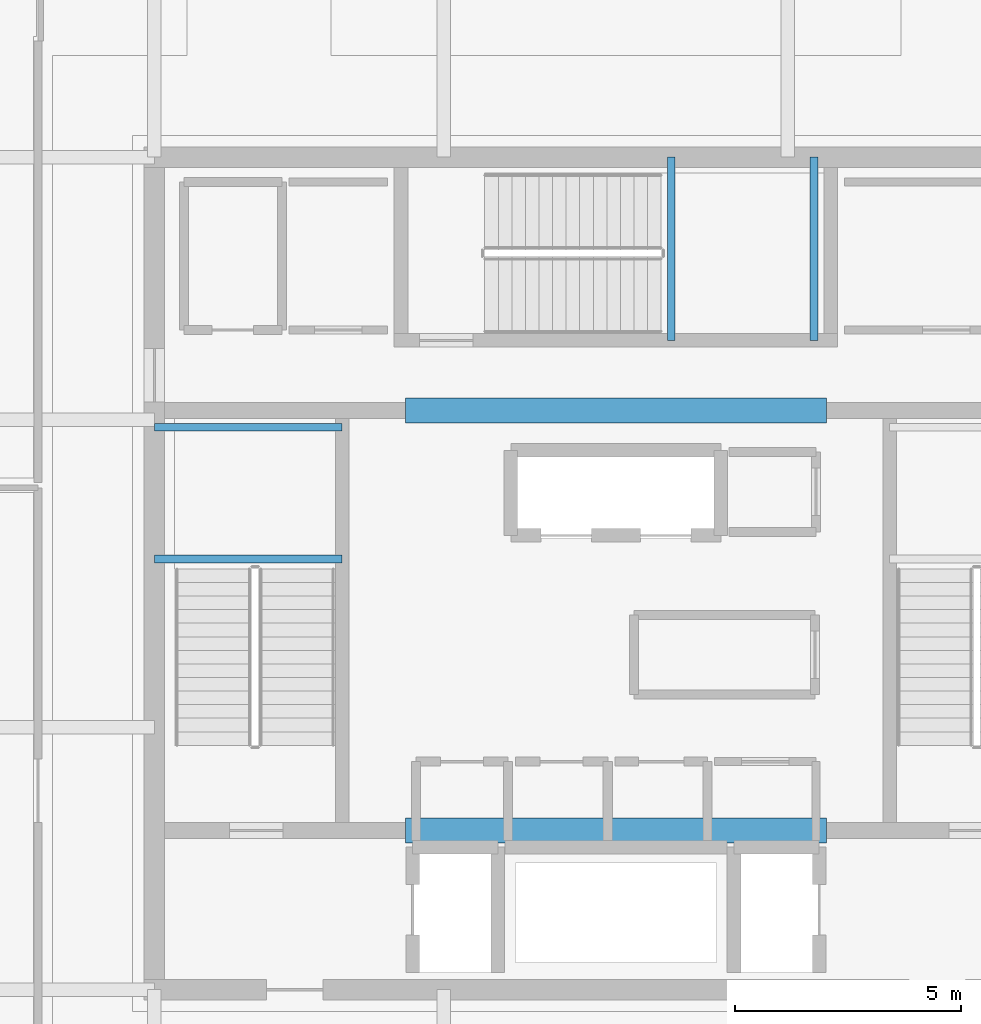
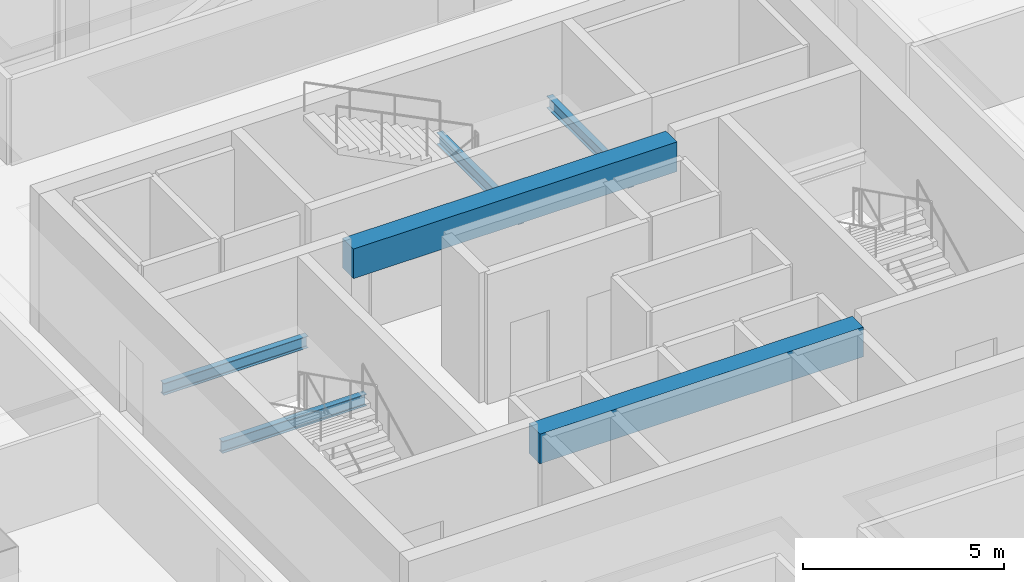
# One storey, part 15 of 46: 6 beams.
"""IFC4 building model written with IfcOpenShell, lengths in metres."""

import ifcopenshell
import ifcopenshell.guid

model = None  # the IFC model being written
_history = None  # IfcOwnerHistory: only IFC2X3 demands one
_inside = {}  # id of a spatial element -> (the spatial element, [elements in it])
_under = {}  # id of a project, library or spatial element -> (it, [spatial elements below it])
_declared = {}  # id of a project -> (the project, [libraries it declares])
_typed = {}  # id of a type object -> (the type object, [elements of that type])
_made_of = {}  # id of a material, layer set ... -> (it, [elements and type objects made of it])


def new_model(schema):
    """Start an empty IFC model of exactly this schema.

    Asked for "IFC4X3", IfcOpenShell would pick the latest addendum, in which some entities
    have other attributes; the version numbers below select the first issue.
    IFC2X3 requires an IfcOwnerHistory on every rooted entity: one is made here for all.
    """
    global model, _history
    if schema == "IFC4X3":
        model = ifcopenshell.file(schema_version=(4, 3, 0, 0))
    else:
        model = ifcopenshell.file(schema=schema)
    _inside.clear()
    _under.clear()
    _declared.clear()
    _typed.clear()
    _made_of.clear()
    _history = None
    if model.schema == "IFC2X3":
        org = make("IfcOrganization", Name="unknown")
        user = make(
            "IfcPersonAndOrganization",
            ThePerson=make("IfcPerson", FamilyName="unknown"),
            TheOrganization=org,
        )
        app = make(
            "IfcApplication",
            ApplicationDeveloper=org,
            Version="unknown",
            ApplicationFullName="unknown",
            ApplicationIdentifier="unknown",
        )
        _history = make(
            "IfcOwnerHistory",
            OwningUser=user,
            OwningApplication=app,
            ChangeAction="ADDED",
            CreationDate=0,
        )
    return model


def make(cls, **values):
    """One entity of the class cls with the attributes given. An attribute that is None is left unset."""
    return model.create_entity(
        cls, **{name: value for name, value in values.items() if value is not None}
    )


def rooted(cls, **values):
    """An entity with a GlobalId (a new one), such as an element, a storey or a relation."""
    return make(cls, GlobalId=ifcopenshell.guid.new(), OwnerHistory=_history, **values)


def si_unit(unit_type, name, prefix=None):
    """IfcSIUnit, for example si_unit("LENGTHUNIT", "METRE", prefix="MILLI")."""
    return make("IfcSIUnit", UnitType=unit_type, Prefix=prefix, Name=name)


def assignment(units):
    """IfcUnitAssignment: the units of a project."""
    return None if units is None else make("IfcUnitAssignment", Units=units)


def point(xyz):
    """IfcCartesianPoint."""
    return None if xyz is None else make("IfcCartesianPoint", Coordinates=xyz)


def direction(xyz):
    """IfcDirection."""
    return None if xyz is None else make("IfcDirection", DirectionRatios=xyz)


def frame(location, z_axis=None, x_axis=None):
    """IfcAxis2Placement3D, a coordinate frame: its origin and axes. An axis left out is left unset."""
    return make(
        "IfcAxis2Placement3D",
        Location=point(location),
        Axis=direction(z_axis),
        RefDirection=direction(x_axis),
    )


def frame_2d(location, x_axis=None):
    """IfcAxis2Placement2D, a coordinate frame in the plane: its origin and x axis."""
    return make(
        "IfcAxis2Placement2D", Location=point(location), RefDirection=direction(x_axis)
    )


def origin():
    """The frame at (0, 0, 0) with its axes left unset."""
    return frame((0.0, 0.0, 0.0))


def origin_2d():
    """The frame at (0, 0) in the plane with its x axis left unset."""
    return frame_2d((0.0, 0.0))


def place(relative_to, where):
    """IfcLocalPlacement: puts the frame where relative to a parent placement (None: the world)."""
    return make(
        "IfcLocalPlacement", PlacementRelTo=relative_to, RelativePlacement=where
    )


def context(
    kind, dimensions, precision=None, world=None, true_north=None, identifier=None
):
    """IfcGeometricRepresentationContext, for example the 3D "Model" context."""
    return make(
        "IfcGeometricRepresentationContext",
        ContextIdentifier=identifier,
        ContextType=kind,
        CoordinateSpaceDimension=dimensions,
        Precision=precision,
        WorldCoordinateSystem=world,
        TrueNorth=true_north,
    )


def subcontext(parent, identifier, kind, view, scale=None):
    """IfcGeometricRepresentationSubContext, for example "Body" below "Model"."""
    return make(
        "IfcGeometricRepresentationSubContext",
        ContextIdentifier=identifier,
        ContextType=kind,
        ParentContext=parent,
        TargetScale=scale,
        TargetView=view,
    )


def project(units=None, contexts=None):
    """IfcProject with its units and contexts."""
    return rooted(
        "IfcProject",
        Name="project",
        RepresentationContexts=contexts,
        UnitsInContext=assignment(units),
    )


def spatial(cls, under=None, at=None, **own):
    """A site, building, storey or space (cls), placed at a placement, below another one or the project."""
    s = rooted(cls, ObjectPlacement=at, **own)
    if under is not None:
        _under.setdefault(under.id(), (under, []))[1].append(s)
    return s


def profile(cls, at=None, kind="AREA", **sizes):
    """A parametric profile (cls). Its sizes go by their IFC names, for example OverallWidth=200.0."""
    return make(cls, ProfileType=kind, Position=at, **sizes)


def rectangle(**sizes):
    """IfcRectangleProfileDef."""
    return profile("IfcRectangleProfileDef", **sizes)


def i_section(**sizes):
    """IfcIShapeProfileDef."""
    return profile("IfcIShapeProfileDef", **sizes)


def extrude(swept, where, along, depth):
    """IfcExtrudedAreaSolid: the profile swept, set in the frame where, extruded along a direction by depth."""
    return make(
        "IfcExtrudedAreaSolid",
        SweptArea=swept,
        Position=where,
        ExtrudedDirection=direction(along),
        Depth=depth,
    )


def shape(context_of_items, identifier, shape_type, items):
    """IfcShapeRepresentation: the items that make up one representation, for example the "Body"."""
    return make(
        "IfcShapeRepresentation",
        ContextOfItems=context_of_items,
        RepresentationIdentifier=identifier,
        RepresentationType=shape_type,
        Items=items,
    )


def material(Name=None, Category=None):
    """IfcMaterial."""
    return make("IfcMaterial", Name=Name, Category=Category)


def material_profile(
    of_material, cross_section, Name=None, Category=None, Priority=None
):
    """IfcMaterialProfile: a cross section and its material."""
    return make(
        "IfcMaterialProfile",
        Name=Name,
        Material=of_material,
        Profile=cross_section,
        Priority=Priority,
        Category=Category,
    )


def profile_set(profiles, Name=None, composite=None):
    """IfcMaterialProfileSet."""
    return make(
        "IfcMaterialProfileSet",
        Name=Name,
        MaterialProfiles=profiles,
        CompositeProfile=composite,
    )


def made_of(thing, what):
    """Note that an element or type object is made of a material, layer set ...; save() writes the relation."""
    if what is not None:
        _made_of.setdefault(what.id(), (what, []))[1].append(thing)
    return thing


def type_object(cls, material=None, **own):
    """A type object (cls), such as IfcWallType, which elements share."""
    return made_of(rooted(cls, **own), material)


def element(
    cls,
    number,
    at=None,
    inside=None,
    cuts=None,
    type_object=None,
    material=None,
    context=None,
    identifier="Body",
    shape_type=None,
    held_by="IfcProductDefinitionShape",
    body=None,
    shapes=None,
    **own,
):
    """One element of the class cls, such as IfcWall. Its Tag is "e" and its number.

    at: its placement. inside: the storey or other place that contains it. cuts: it is an
    opening in that element (IfcRelVoidsElement). A single representation is given by context,
    identifier, shape_type and body (its items); several are given by shapes. held_by: the class
    of the entity that holds the representations. save() writes the other relations.
    """
    e = rooted(cls, Tag="e%d" % number, ObjectPlacement=at, **own)
    if body is not None:
        shapes = [shape(context, identifier, shape_type, body)]
    if shapes is not None:
        e.Representation = make(held_by, Representations=shapes)
    if inside is not None:
        _inside.setdefault(inside.id(), (inside, []))[1].append(e)
    if cuts is not None:
        rooted(
            "IfcRelVoidsElement", RelatingBuildingElement=cuts, RelatedOpeningElement=e
        )
    if type_object is not None:
        _typed.setdefault(type_object.id(), (type_object, []))[1].append(e)
    return made_of(e, material)


def aggregate(whole, parts):
    """IfcRelAggregates: a whole, such as a stair, and the parts it consists of."""
    return rooted("IfcRelAggregates", RelatingObject=whole, RelatedObjects=parts)


def save(model, path):
    """Write the relations noted so far, then the file.

    IfcRelAggregates (storeys below a building ...), IfcRelContainedInSpatialStructure (elements
    in a storey), IfcRelDefinesByType, IfcRelAssociatesMaterial and IfcRelDeclares: one each for
    every whole, place, type object, material and project.
    """
    for whole, parts in _under.values():
        aggregate(whole, parts)
    for where, things in _inside.values():
        rooted(
            "IfcRelContainedInSpatialStructure",
            RelatedElements=things,
            RelatingStructure=where,
        )
    for kind, things in _typed.values():
        rooted("IfcRelDefinesByType", RelatedObjects=things, RelatingType=kind)
    for what, things in _made_of.values():
        rooted("IfcRelAssociatesMaterial", RelatedObjects=things, RelatingMaterial=what)
    for by, libraries in _declared.values():
        rooted("IfcRelDeclares", RelatingContext=by, RelatedDefinitions=libraries)
    model.write(path)


model = new_model("IFC4")

# Units and contexts
model_context = context("Model", 3, precision=1e-05, world=origin(), true_north=direction((0.0, 1.0)))
body_context = subcontext(model_context, "Body", "Model", "MODEL_VIEW")
ifc_project = project(units=[si_unit("LENGTHUNIT", "METRE"), si_unit("AREAUNIT", "SQUARE_METRE"), si_unit("VOLUMEUNIT", "CUBIC_METRE"), si_unit("PLANEANGLEUNIT", "RADIAN"), si_unit("MASSUNIT", "GRAM", prefix="KILO")], contexts=[model_context])

# Site, building, storey
site_placement = place(None, origin())
site = spatial("IfcSite", under=ifc_project, at=site_placement, CompositionType="ELEMENT")
building_placement = place(site_placement, origin())
building = spatial("IfcBuilding", under=site, at=building_placement, Name="Punatoya Terracotta Tower", CompositionType="ELEMENT")
storey_placement = place(building_placement, frame((0.0, 0.0, 330.0)))
storey = spatial("IfcBuildingStorey", under=building, at=storey_placement, Name="L78", CompositionType="ELEMENT", Elevation=330.0)

# Beams
ifc_material_1 = material(Name="Concrete C50/60", Category="concrete")
ifc_material_profile_1 = material_profile(ifc_material_1, rectangle(XDim=0.550048828125, YDim=0.89990234375, at=origin_2d()))
ifc_profile_set_1 = profile_set([ifc_material_profile_1], Name="Concrete C50/60")
beam_type_1 = type_object("IfcBeamType", Name="BM-RC-900", PredefinedType="LINTEL", material=ifc_profile_set_1)
for number, where, z_axis, x_axis, name in (
    (1, (-4.64990234375, -5.679931640625, 3.489990234375), (1.0, 0.0, 0.0), (0.0, 1.0, 0.0), "L78 Core Coupling Lintel CSW"),
    (2, (-4.64990234375, 3.60009765625, 3.489990234375), (1.0, 0.0, 0.0), (0.0, 1.0, 0.0), "L78 Core Coupling Lintel CNW"),
):
    element("IfcBeam", number, at=place(storey_placement, frame(where, z_axis=z_axis, x_axis=x_axis)), inside=storey, type_object=beam_type_1, Name=name, PredefinedType="LINTEL", context=body_context, shape_type="SweptSolid", body=[
        extrude(rectangle(XDim=0.550048828125, YDim=0.89990234375, at=origin_2d()), origin(), (0.0, 0.0, 1.0), 9.2998046875),
    ])
ifc_material_2 = material(Name="Steel S355", Category="steel")
ifc_material_profile_2 = material_profile(ifc_material_2, i_section(OverallWidth=0.169921875, OverallDepth=0.360107421875, WebThickness=0.008056640625, FlangeThickness=0.0126953125, FilletRadius=0.01806640625, at=origin_2d()))
ifc_profile_set_2 = profile_set([ifc_material_profile_2], Name="Steel S355")
beam_type_2 = type_object("IfcBeamType", Name="BM-SEC-360", PredefinedType="JOIST", material=ifc_profile_set_2)
for number, where, z_axis, x_axis, name in (
    (3, (-10.199951171875, 0.320068359375, 1.719970703125), (1.0, 0.0, 0.0), (0.0, 1.0, 0.0), "BM-L78-ST-1-LD1A"),
    (4, (-10.199951171875, 3.22998046875, 1.719970703125), (1.0, 0.0, 0.0), (0.0, 1.0, 0.0), "BM-L78-ST-1-LD1B"),
):
    element("IfcBeam", number, at=place(storey_placement, frame(where, z_axis=z_axis, x_axis=x_axis)), inside=storey, type_object=beam_type_2, Name=name, PredefinedType="JOIST", context=body_context, shape_type="SweptSolid", body=[
        extrude(i_section(OverallWidth=0.169921875, OverallDepth=0.360107421875, WebThickness=0.008056640625, FlangeThickness=0.0126953125, FilletRadius=0.01806640625, at=origin_2d()), origin(), (0.0, 0.0, 1.0), 4.14990234375),
    ])
for number, where, z_axis, x_axis, name in (
    (5, (1.219970703125, 5.14990234375, 1.719970703125), (0.0, 1.0, 0.0), (-1.0, 0.0, 0.0), "BM-L78-ST-3-LD1A"),
    (6, (4.3798828125, 5.14990234375, 1.719970703125), (0.0, 1.0, 0.0), (-1.0, 0.0, 0.0), "BM-L78-ST-3-LD1B"),
):
    element("IfcBeam", number, at=place(storey_placement, frame(where, z_axis=z_axis, x_axis=x_axis)), inside=storey, type_object=beam_type_2, Name=name, PredefinedType="JOIST", context=body_context, shape_type="SweptSolid", body=[
        extrude(i_section(OverallWidth=0.169921875, OverallDepth=0.360107421875, WebThickness=0.008056640625, FlangeThickness=0.0126953125, FilletRadius=0.01806640625, at=origin_2d()), origin(), (0.0, 0.0, 1.0), 4.050048828125),
    ])

save(model, "model.ifc")
